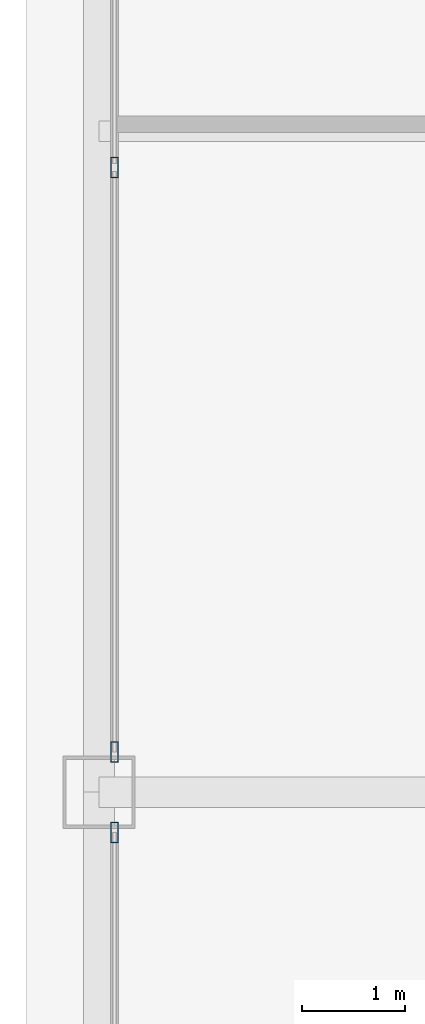
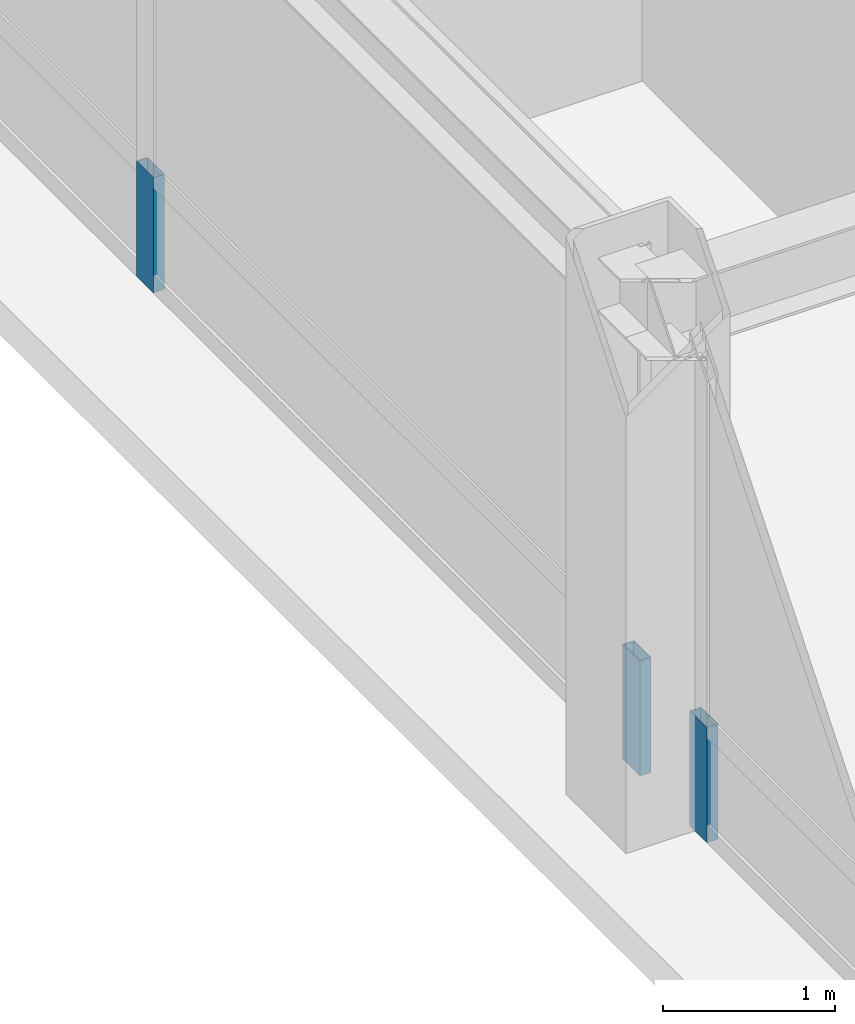
# One storey, part 23 of 35: 3 members, 2 elements without a shape of their own.
"""IFC4 building model written with IfcOpenShell, lengths in metres."""

import ifcopenshell
import ifcopenshell.guid

model = None  # the IFC model being written
_history = None  # IfcOwnerHistory: only IFC2X3 demands one
_inside = {}  # id of a spatial element -> (the spatial element, [elements in it])
_under = {}  # id of a project, library or spatial element -> (it, [spatial elements below it])
_declared = {}  # id of a project -> (the project, [libraries it declares])
_typed = {}  # id of a type object -> (the type object, [elements of that type])
_made_of = {}  # id of a material, layer set ... -> (it, [elements and type objects made of it])


def new_model(schema):
    """Start an empty IFC model of exactly this schema.

    Asked for "IFC4X3", IfcOpenShell would pick the latest addendum, in which some entities
    have other attributes; the version numbers below select the first issue.
    IFC2X3 requires an IfcOwnerHistory on every rooted entity: one is made here for all.
    """
    global model, _history
    if schema == "IFC4X3":
        model = ifcopenshell.file(schema_version=(4, 3, 0, 0))
    else:
        model = ifcopenshell.file(schema=schema)
    _inside.clear()
    _under.clear()
    _declared.clear()
    _typed.clear()
    _made_of.clear()
    _history = None
    if model.schema == "IFC2X3":
        org = make("IfcOrganization", Name="unknown")
        user = make(
            "IfcPersonAndOrganization",
            ThePerson=make("IfcPerson", FamilyName="unknown"),
            TheOrganization=org,
        )
        app = make(
            "IfcApplication",
            ApplicationDeveloper=org,
            Version="unknown",
            ApplicationFullName="unknown",
            ApplicationIdentifier="unknown",
        )
        _history = make(
            "IfcOwnerHistory",
            OwningUser=user,
            OwningApplication=app,
            ChangeAction="ADDED",
            CreationDate=0,
        )
    return model


def make(cls, **values):
    """One entity of the class cls with the attributes given. An attribute that is None is left unset."""
    return model.create_entity(
        cls, **{name: value for name, value in values.items() if value is not None}
    )


def rooted(cls, **values):
    """An entity with a GlobalId (a new one), such as an element, a storey or a relation."""
    return make(cls, GlobalId=ifcopenshell.guid.new(), OwnerHistory=_history, **values)


def si_unit(unit_type, name, prefix=None):
    """IfcSIUnit, for example si_unit("LENGTHUNIT", "METRE", prefix="MILLI")."""
    return make("IfcSIUnit", UnitType=unit_type, Prefix=prefix, Name=name)


def assignment(units):
    """IfcUnitAssignment: the units of a project."""
    return None if units is None else make("IfcUnitAssignment", Units=units)


def point(xyz):
    """IfcCartesianPoint."""
    return None if xyz is None else make("IfcCartesianPoint", Coordinates=xyz)


def direction(xyz):
    """IfcDirection."""
    return None if xyz is None else make("IfcDirection", DirectionRatios=xyz)


def frame(location, z_axis=None, x_axis=None):
    """IfcAxis2Placement3D, a coordinate frame: its origin and axes. An axis left out is left unset."""
    return make(
        "IfcAxis2Placement3D",
        Location=point(location),
        Axis=direction(z_axis),
        RefDirection=direction(x_axis),
    )


def frame_2d(location, x_axis=None):
    """IfcAxis2Placement2D, a coordinate frame in the plane: its origin and x axis."""
    return make(
        "IfcAxis2Placement2D", Location=point(location), RefDirection=direction(x_axis)
    )


def origin():
    """The frame at (0, 0, 0) with its axes left unset."""
    return frame((0.0, 0.0, 0.0))


def origin_2d():
    """The frame at (0, 0) in the plane with its x axis left unset."""
    return frame_2d((0.0, 0.0))


def place(relative_to, where):
    """IfcLocalPlacement: puts the frame where relative to a parent placement (None: the world)."""
    return make(
        "IfcLocalPlacement", PlacementRelTo=relative_to, RelativePlacement=where
    )


def context(
    kind, dimensions, precision=None, world=None, true_north=None, identifier=None
):
    """IfcGeometricRepresentationContext, for example the 3D "Model" context."""
    return make(
        "IfcGeometricRepresentationContext",
        ContextIdentifier=identifier,
        ContextType=kind,
        CoordinateSpaceDimension=dimensions,
        Precision=precision,
        WorldCoordinateSystem=world,
        TrueNorth=true_north,
    )


def subcontext(parent, identifier, kind, view, scale=None):
    """IfcGeometricRepresentationSubContext, for example "Body" below "Model"."""
    return make(
        "IfcGeometricRepresentationSubContext",
        ContextIdentifier=identifier,
        ContextType=kind,
        ParentContext=parent,
        TargetScale=scale,
        TargetView=view,
    )


def project(units=None, contexts=None):
    """IfcProject with its units and contexts."""
    return rooted(
        "IfcProject",
        Name="project",
        RepresentationContexts=contexts,
        UnitsInContext=assignment(units),
    )


def spatial(cls, under=None, at=None, **own):
    """A site, building, storey or space (cls), placed at a placement, below another one or the project."""
    s = rooted(cls, ObjectPlacement=at, **own)
    if under is not None:
        _under.setdefault(under.id(), (under, []))[1].append(s)
    return s


def profile(cls, at=None, kind="AREA", **sizes):
    """A parametric profile (cls). Its sizes go by their IFC names, for example OverallWidth=200.0."""
    return make(cls, ProfileType=kind, Position=at, **sizes)


def hollow_rectangle(**sizes):
    """IfcRectangleHollowProfileDef."""
    return profile("IfcRectangleHollowProfileDef", **sizes)


def extrude(swept, where, along, depth):
    """IfcExtrudedAreaSolid: the profile swept, set in the frame where, extruded along a direction by depth."""
    return make(
        "IfcExtrudedAreaSolid",
        SweptArea=swept,
        Position=where,
        ExtrudedDirection=direction(along),
        Depth=depth,
    )


def shape(context_of_items, identifier, shape_type, items):
    """IfcShapeRepresentation: the items that make up one representation, for example the "Body"."""
    return make(
        "IfcShapeRepresentation",
        ContextOfItems=context_of_items,
        RepresentationIdentifier=identifier,
        RepresentationType=shape_type,
        Items=items,
    )


def source(mapping_origin, context_of_items, identifier, shape_type, items):
    """IfcRepresentationMap: a shape defined once, which mapped items show again and again."""
    return make(
        "IfcRepresentationMap",
        MappingOrigin=mapping_origin,
        MappedRepresentation=shape(context_of_items, identifier, shape_type, items),
    )


def transform(
    local_origin,
    x_axis=None,
    y_axis=None,
    z_axis=None,
    scale=None,
    scale2=None,
    scale3=None,
    uniform=True,
):
    """IfcCartesianTransformationOperator3D, or its non-uniform kind. x_axis, y_axis, z_axis: its Axis1, 2, 3."""
    if uniform:
        return make(
            "IfcCartesianTransformationOperator3D",
            Axis1=direction(x_axis),
            Axis2=direction(y_axis),
            LocalOrigin=point(local_origin),
            Scale=scale,
            Axis3=direction(z_axis),
        )
    return make(
        "IfcCartesianTransformationOperator3DnonUniform",
        Axis1=direction(x_axis),
        Axis2=direction(y_axis),
        LocalOrigin=point(local_origin),
        Scale=scale,
        Axis3=direction(z_axis),
        Scale2=scale2,
        Scale3=scale3,
    )


def mapped(mapping_source, mapping_target):
    """IfcMappedItem: shows the shape of a source again, moved by a transform."""
    return make(
        "IfcMappedItem", MappingSource=mapping_source, MappingTarget=mapping_target
    )


def material(Name=None, Category=None):
    """IfcMaterial."""
    return make("IfcMaterial", Name=Name, Category=Category)


def layer(
    of_material, thickness, ventilated=None, Name=None, Category=None, Priority=None
):
    """IfcMaterialLayer: one layer of a wall or slab, of a material (None: an air gap)."""
    return make(
        "IfcMaterialLayer",
        Material=of_material,
        LayerThickness=thickness,
        IsVentilated=ventilated,
        Name=Name,
        Category=Category,
        Priority=Priority,
    )


def layer_set(layers, Name=None):
    """IfcMaterialLayerSet."""
    return make("IfcMaterialLayerSet", MaterialLayers=layers, LayerSetName=Name)


def material_profile(
    of_material, cross_section, Name=None, Category=None, Priority=None
):
    """IfcMaterialProfile: a cross section and its material."""
    return make(
        "IfcMaterialProfile",
        Name=Name,
        Material=of_material,
        Profile=cross_section,
        Priority=Priority,
        Category=Category,
    )


def profile_set(profiles, Name=None, composite=None):
    """IfcMaterialProfileSet."""
    return make(
        "IfcMaterialProfileSet",
        Name=Name,
        MaterialProfiles=profiles,
        CompositeProfile=composite,
    )


def made_of(thing, what):
    """Note that an element or type object is made of a material, layer set ...; save() writes the relation."""
    if what is not None:
        _made_of.setdefault(what.id(), (what, []))[1].append(thing)
    return thing


def type_object(cls, material=None, **own):
    """A type object (cls), such as IfcWallType, which elements share."""
    return made_of(rooted(cls, **own), material)


def element(
    cls,
    number,
    at=None,
    inside=None,
    cuts=None,
    type_object=None,
    material=None,
    context=None,
    identifier="Body",
    shape_type=None,
    held_by="IfcProductDefinitionShape",
    body=None,
    shapes=None,
    **own,
):
    """One element of the class cls, such as IfcWall. Its Tag is "e" and its number.

    at: its placement. inside: the storey or other place that contains it. cuts: it is an
    opening in that element (IfcRelVoidsElement). A single representation is given by context,
    identifier, shape_type and body (its items); several are given by shapes. held_by: the class
    of the entity that holds the representations. save() writes the other relations.
    """
    e = rooted(cls, Tag="e%d" % number, ObjectPlacement=at, **own)
    if body is not None:
        shapes = [shape(context, identifier, shape_type, body)]
    if shapes is not None:
        e.Representation = make(held_by, Representations=shapes)
    if inside is not None:
        _inside.setdefault(inside.id(), (inside, []))[1].append(e)
    if cuts is not None:
        rooted(
            "IfcRelVoidsElement", RelatingBuildingElement=cuts, RelatedOpeningElement=e
        )
    if type_object is not None:
        _typed.setdefault(type_object.id(), (type_object, []))[1].append(e)
    return made_of(e, material)


def aggregate(whole, parts):
    """IfcRelAggregates: a whole, such as a stair, and the parts it consists of."""
    return rooted("IfcRelAggregates", RelatingObject=whole, RelatedObjects=parts)


def save(model, path):
    """Write the relations noted so far, then the file.

    IfcRelAggregates (storeys below a building ...), IfcRelContainedInSpatialStructure (elements
    in a storey), IfcRelDefinesByType, IfcRelAssociatesMaterial and IfcRelDeclares: one each for
    every whole, place, type object, material and project.
    """
    for whole, parts in _under.values():
        aggregate(whole, parts)
    for where, things in _inside.values():
        rooted(
            "IfcRelContainedInSpatialStructure",
            RelatedElements=things,
            RelatingStructure=where,
        )
    for kind, things in _typed.values():
        rooted("IfcRelDefinesByType", RelatedObjects=things, RelatingType=kind)
    for what, things in _made_of.values():
        rooted("IfcRelAssociatesMaterial", RelatedObjects=things, RelatingMaterial=what)
    for by, libraries in _declared.values():
        rooted("IfcRelDeclares", RelatingContext=by, RelatedDefinitions=libraries)
    model.write(path)


model = new_model("IFC4")

# Units and contexts
model_context = context("Model", 3, precision=1e-05, world=origin(), true_north=direction((0.0, 1.0)))
body_context = subcontext(model_context, "Body", "Model", "MODEL_VIEW")
ifc_project = project(units=[si_unit("LENGTHUNIT", "METRE"), si_unit("AREAUNIT", "SQUARE_METRE"), si_unit("VOLUMEUNIT", "CUBIC_METRE"), si_unit("PLANEANGLEUNIT", "RADIAN"), si_unit("MASSUNIT", "GRAM", prefix="KILO"), si_unit("THERMODYNAMICTEMPERATUREUNIT", "KELVIN"), si_unit("POWERUNIT", "WATT")], contexts=[model_context])

# Site, building, storey
site_placement = place(None, origin())
site = spatial("IfcSite", under=ifc_project, at=site_placement, CompositionType="ELEMENT")
building_placement = place(site_placement, origin())
building = spatial("IfcBuilding", under=site, at=building_placement, Name="Yuzanri Waterfront Tower", CompositionType="ELEMENT")
storey_placement = place(building_placement, frame((0.0, 0.0, 343.199951171875)))
storey = spatial("IfcBuildingStorey", under=building, at=storey_placement, Name="L92", CompositionType="ELEMENT", Elevation=343.199951171875)

# Curtain wall, member
ifc_material_1 = material(Name="Anodized Architectural Bronze", Category="metal")
ifc_layer = layer(ifc_material_1, 0.159912109375)
ifc_layer_set = layer_set([ifc_layer], Name="Anodized Architectural Bronze")
curtain_wall_type = type_object("IfcCurtainWallType", Name="Anodized Bronze High-Rise Penthouse High-Wind Unitized Curtain Wall 6900", PredefinedType="NOTDEFINED", material=ifc_layer_set)
curtain_wall_1_placement = place(storey_placement, origin())
curtain_wall_1 = element("IfcCurtainWall", 1, at=curtain_wall_1_placement, inside=storey, type_object=curtain_wall_type, Name="L92 Curtain Wall CW-L92-WL", PredefinedType="NOTDEFINED")
ifc_material_2 = material(Name="Anodized Architectural Bronze", Category="metal")
ifc_material_profile = material_profile(ifc_material_2, hollow_rectangle(XDim=0.074951171875, YDim=0.199951171875, WallThickness=0.00390625, at=origin_2d()), Name="CWM 75x200")
ifc_profile_set = profile_set([ifc_material_profile], Name="Anodized Architectural Bronze")
member_type = type_object("IfcMemberType", Name="Anodized Bronze Primary Curtain-Wall Mullion 75x200", PredefinedType="MULLION", material=ifc_profile_set)
shared_shape = source(origin(), body_context, "Body", "SweptSolid", [
    extrude(hollow_rectangle(XDim=0.074951171875, YDim=0.199951171875, WallThickness=0.00390625, at=origin_2d()), origin(), (0.0, 0.0, 1.0), 0.818115234375),
])
member_1_placement = place(storey_placement, frame((18.050048828125, 25.409912109375, 0.0), z_axis=(0.0, 0.0, 1.0), x_axis=(1.0, 0.0, 0.0)))
member_1 = element("IfcMember", 2, at=member_1_placement, type_object=member_type, Name="CW-L92-WL Lower Mullion 02", PredefinedType="MULLION", context=body_context, shape_type="MappedRepresentation", body=[
    mapped(shared_shape, transform((0.0, 0.0, 0.0), scale=1.0)),
])
aggregate(curtain_wall_1, [member_1])

# Curtain wall, members
curtain_wall_2_placement = place(storey_placement, origin())
curtain_wall_2 = element("IfcCurtainWall", 3, at=curtain_wall_2_placement, inside=storey, type_object=curtain_wall_type, Name="L92 Curtain Wall CW-L92-WR", PredefinedType="NOTDEFINED")
member_2_placement = place(storey_placement, frame((18.050048828125, 26.18994140625, 0.0), z_axis=(0.0, 0.0, 1.0), x_axis=(1.0, 0.0, 0.0)))
member_2 = element("IfcMember", 4, at=member_2_placement, type_object=member_type, Name="CW-L92-WR Lower Mullion 00", PredefinedType="MULLION", context=body_context, shape_type="MappedRepresentation", body=[
    mapped(shared_shape, transform((0.0, 0.0, 0.0), scale=1.0)),
])
member_3_placement = place(storey_placement, frame((18.050048828125, 31.85009765625, 0.0), z_axis=(0.0, 0.0, 1.0), x_axis=(1.0, 0.0, 0.0)))
member_3 = element("IfcMember", 5, at=member_3_placement, type_object=member_type, Name="CW-L92-WR Lower Mullion 01", PredefinedType="MULLION", context=body_context, shape_type="MappedRepresentation", body=[
    mapped(shared_shape, transform((0.0, 0.0, 0.0), scale=1.0)),
])
aggregate(curtain_wall_2, [member_2, member_3])

save(model, "model.ifc")
